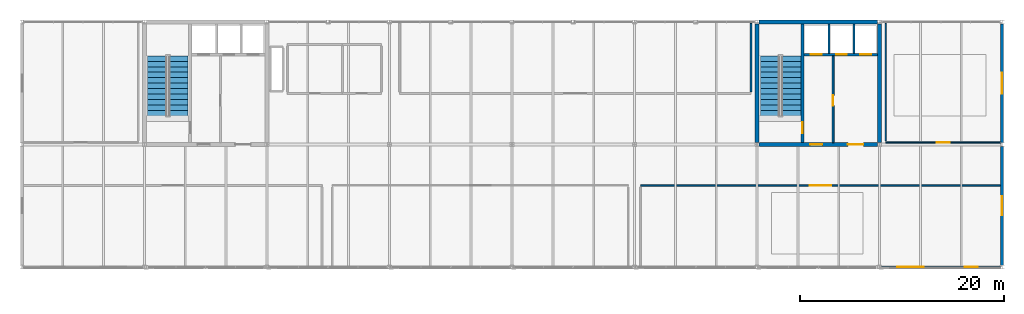
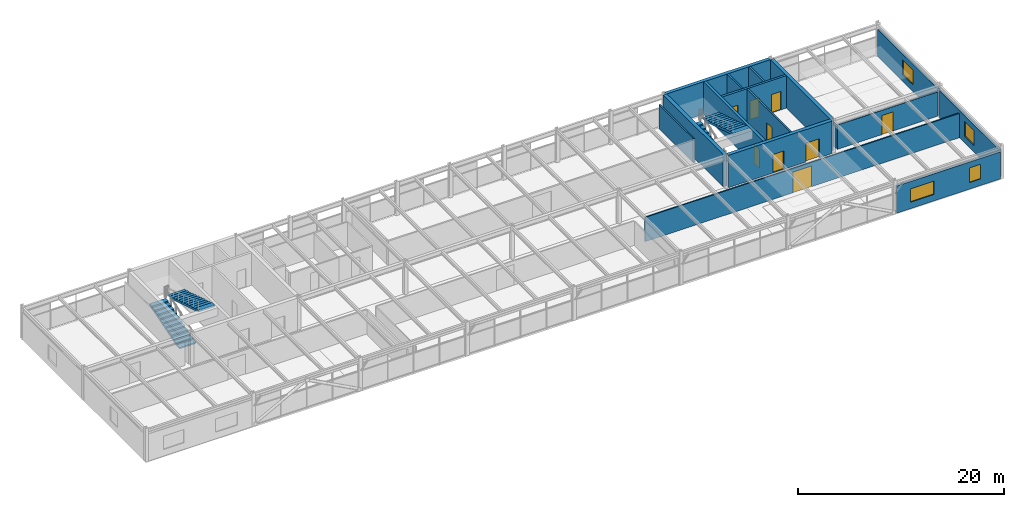
# One storey, part 37 of 40: 16 walls, 9 doors, 4 stair flights, 4 windows, 13 openings, 2 elements without a shape of their own.
"""IFC4 building model written with IfcOpenShell, lengths in metres."""

from ifc_helpers import new_model, si_unit, direction, frame, frame_2d, origin, place, context, subcontext, project, spatial, polyline, rectangle, outline, extrude, material, layer, layer_set, type_object, element, fill, aggregate, save


model = new_model("IFC4")

# Units and contexts
model_context = context("Model", 3, precision=1e-05, world=origin(), true_north=direction((0.0, 1.0)))
body_context = subcontext(model_context, "Body", "Model", "MODEL_VIEW")
ifc_project = project(units=[si_unit("LENGTHUNIT", "METRE"), si_unit("AREAUNIT", "SQUARE_METRE"), si_unit("VOLUMEUNIT", "CUBIC_METRE"), si_unit("PLANEANGLEUNIT", "RADIAN"), si_unit("MASSUNIT", "GRAM", prefix="KILO")], contexts=[model_context])

# Site, building, storey
site_placement = place(None, origin())
site = spatial("IfcSite", under=ifc_project, at=site_placement, CompositionType="ELEMENT")
building_placement = place(site_placement, origin())
building = spatial("IfcBuilding", under=site, at=building_placement, Name="Girod Span Mobility Hub", CompositionType="ELEMENT")
storey_placement = place(building_placement, frame((0.0, 0.0, 57.60009765625)))
storey = spatial("IfcBuildingStorey", under=building, at=storey_placement, Name="L14", CompositionType="ELEMENT", Elevation=57.60009765625)

# Wall, openings, doors
ifc_material_1 = material(Name="Concrete C40/50", Category="concrete")
ifc_layer_1 = layer(ifc_material_1, 0.39990234375)
ifc_layer_set_1 = layer_set([ifc_layer_1], Name="Concrete C40/50")
wall_type_1 = type_object("IfcWallType", Name="W-CW-400", PredefinedType="SHEAR", material=ifc_layer_set_1)
wall_1_placement = place(storey_placement, frame((108.194091796875, 57.0, 0.0), z_axis=(0.0, 0.0, 1.0), x_axis=(1.0, 0.0, 0.0)))
wall_1 = element("IfcWall", 1, at=wall_1_placement, inside=storey, type_object=wall_type_1, Name="Core C2 Shear Wall S L14", PredefinedType="SHEAR", context=body_context, shape_type="SweptSolid", body=[
    extrude(rectangle(XDim=11.61181640625, YDim=0.39990234375, at=frame_2d((5.805908203125, 0.0))), origin(), (0.0, 0.0, 1.0), 3.852783203125),
])
opening_1_placement = place(wall_1_placement, frame((5.006103515625, 0.0, 0.0)))
opening_1 = element("IfcOpeningElement", 2, at=opening_1_placement, cuts=wall_1, Name="Opening D-FL-C2-L14", PredefinedType="OPENING", context=body_context, shape_type="SweptSolid", body=[
    extrude(rectangle(XDim=1.199951171875, YDim=2.199951171875, at=frame_2d((0.60009765625, 1.10009765625))), frame((0.0, 0.21484375, 0.0), z_axis=(0.0, -1.0, 0.0), x_axis=(1.0, 0.0, 0.0)), (0.0, 0.0, 1.0), 0.429931640625),
])
opening_2_placement = place(wall_1_placement, frame((8.7060546875, 0.0, 0.0)))
opening_2 = element("IfcOpeningElement", 3, at=opening_2_placement, cuts=wall_1, Name="Opening D-LB-C2-L14", PredefinedType="OPENING", context=body_context, shape_type="SweptSolid", body=[
    extrude(rectangle(XDim=1.5, YDim=2.25, at=frame_2d((0.75, 1.125))), frame((0.0, 0.21484375, 0.0), z_axis=(0.0, -1.0, 0.0), x_axis=(1.0, 0.0, 0.0)), (0.0, 0.0, 1.0), 0.429931640625),
])
ifc_material_2 = material(Name="Fire-Rated Insulated Hollow Metal Steel", Category="steel")
door_type_1 = type_object("IfcDoorType", Name="DT-FD-03", OperationType="DOUBLE_DOOR_SINGLE_SWING", PredefinedType="DOOR", material=ifc_material_2)
door_1_placement = place(opening_2_placement, origin())
door_1 = element("IfcDoor", 4, at=door_1_placement, inside=storey, type_object=door_type_1, Name="Lift Lobby Entry Door C2 L14", OperationType="DOUBLE_DOOR_SINGLE_SWING", OverallHeight=2.25, OverallWidth=1.5, PredefinedType="DOOR", context=body_context, shape_type="SweptSolid", body=[
    extrude(rectangle(XDim=1.5, YDim=2.25, at=frame_2d((0.75, 1.125))), frame((0.0, 0.02490234375, 0.0), z_axis=(0.0, -1.0, 0.0), x_axis=(1.0, 0.0, 0.0)), (0.0, 0.0, 1.0), 0.050048828125),
])
fill(opening_2, door_1)
ifc_material_3 = material(Name="Fire-Rated Insulated Hollow Metal Steel", Category="steel")
door_type_2 = type_object("IfcDoorType", Name="DT-FD-05", OperationType="NOTDEFINED", PredefinedType="DOOR", material=ifc_material_3)
door_2_placement = place(opening_1_placement, origin())
door_2 = element("IfcDoor", 5, at=door_2_placement, inside=storey, type_object=door_type_2, Name="Firefighting Lobby Entry Door C2 L14", OperationType="SINGLE_SWING_RIGHT", OverallHeight=2.199951171875, OverallWidth=1.199951171875, PredefinedType="DOOR", context=body_context, shape_type="SweptSolid", body=[
    extrude(rectangle(XDim=1.199951171875, YDim=2.199951171875, at=frame_2d((0.60009765625, 1.10009765625))), frame((0.0, 0.02490234375, 0.0), z_axis=(0.0, -1.0, 0.0), x_axis=(1.0, 0.0, 0.0)), (0.0, 0.0, 1.0), 0.050048828125),
])
fill(opening_1, door_2)

# Walls
wall_2_placement = place(storey_placement, frame((108.181396484375, 69.0, 0.0), z_axis=(0.0, 0.0, 1.0), x_axis=(1.0, 0.0, 0.0)))
element("IfcWall", 6, at=wall_2_placement, inside=storey, type_object=wall_type_1, Name="Core C2 Shear Wall N L14", PredefinedType="SHEAR", context=body_context, shape_type="SweptSolid", body=[
    extrude(rectangle(XDim=11.63720703125, YDim=0.39990234375, at=frame_2d((5.818603515625, 0.0))), origin(), (0.0, 0.0, 1.0), 3.852783203125),
])
for number, where, z_axis, x_axis, name in (
    (7, (108.0, 57.1845703125, 0.0), (0.0, 0.0, 1.0), (0.0, 1.0, 0.0), "Core C2 Shear Wall W L14"),
    (8, (120.0, 57.1845703125, 0.0), (0.0, 0.0, 1.0), (0.0, 1.0, 0.0), "Core C2 Shear Wall E L14"),
):
    element("IfcWall", number, at=place(storey_placement, frame(where, z_axis=z_axis, x_axis=x_axis)), inside=storey, type_object=wall_type_1, Name=name, PredefinedType="SHEAR", context=body_context, shape_type="SweptSolid", body=[
        extrude(rectangle(XDim=11.640380859375, YDim=0.39990234375, at=frame_2d((5.8203125, 0.0))), origin(), (0.0, 0.0, 1.0), 3.852783203125),
    ])

# Wall, openings, windows
ifc_material_4 = material(Name="Precast Architectural Concrete C40/50", Category="concrete")
ifc_layer_2 = layer(ifc_material_4, 0.235107421875)
ifc_layer_set_2 = layer_set([ifc_layer_2], Name="Precast Architectural Concrete C40/50")
wall_type_2 = type_object("IfcWallType", Name="W-EXT-235", PredefinedType="SOLIDWALL", material=ifc_layer_set_2)
wall_3_placement = place(storey_placement, frame((120.1826171875, 45.0, 0.0), z_axis=(0.0, 0.0, 1.0), x_axis=(1.0, 0.0, 0.0)))
wall_3 = element("IfcWall", 9, at=wall_3_placement, inside=storey, type_object=wall_type_2, Name="Office Insulated Facade Wall S-11 L14", PredefinedType="SOLIDWALL", context=body_context, shape_type="SweptSolid", body=[
    extrude(rectangle(XDim=11.634765625, YDim=0.235107421875, at=frame_2d((5.8173828125, 0.0))), origin(), (0.0, 0.0, 1.0), 3.2158203125),
])
opening_3_placement = place(wall_3_placement, frame((1.5400390625, 0.0, 0.780029296875)))
opening_3 = element("IfcOpeningElement", 10, at=opening_3_placement, cuts=wall_3, Name="Opening W-L14-S10A", PredefinedType="OPENING", context=body_context, shape_type="SweptSolid", body=[
    extrude(rectangle(XDim=2.6201171875, YDim=1.580078125, at=frame_2d((1.31005859375, 0.7900390625))), frame((0.0, 0.132568359375, 0.0), z_axis=(0.0, -1.0, 0.0), x_axis=(1.0, 0.0, 0.0)), (0.0, 0.0, 1.0), 0.26513671875),
])
opening_4_placement = place(wall_3_placement, frame((8.14501953125, 0.0, 0.780029296875)))
opening_4 = element("IfcOpeningElement", 11, at=opening_4_placement, cuts=wall_3, Name="Opening W-L14-S10B", PredefinedType="OPENING", context=body_context, shape_type="SweptSolid", body=[
    extrude(rectangle(XDim=1.280029296875, YDim=1.739990234375, at=frame_2d((0.64013671875, 0.8701171875))), frame((0.0, 0.132568359375, 0.0), z_axis=(0.0, -1.0, 0.0), x_axis=(1.0, 0.0, 0.0)), (0.0, 0.0, 1.0), 0.26513671875),
])
ifc_material_5 = material(Name="Double Low-E Insulated Glazing", Category="glass")
window_type_1 = type_object("IfcWindowType", Name="WN-30", PartitioningType="DOUBLE_PANEL_VERTICAL", PredefinedType="WINDOW", material=ifc_material_5)
window_1_placement = place(opening_3_placement, origin())
window_1 = element("IfcWindow", 12, at=window_1_placement, inside=storey, type_object=window_type_1, Name="Office Window WN-30", OverallHeight=1.580078125, OverallWidth=2.6201171875, PartitioningType="DOUBLE_PANEL_VERTICAL", PredefinedType="WINDOW", context=body_context, shape_type="SweptSolid", body=[
    extrude(rectangle(XDim=2.6201171875, YDim=1.580078125, at=frame_2d((1.31005859375, 0.7900390625))), frame((0.0, 0.030029296875, 0.0), z_axis=(0.0, -1.0, 0.0), x_axis=(1.0, 0.0, 0.0)), (0.0, 0.0, 1.0), 0.06005859375),
])
fill(opening_3, window_1)
ifc_material_6 = material(Name="Double Low-E Insulated Glazing", Category="glass")
window_type_2 = type_object("IfcWindowType", Name="WN-31", PartitioningType="SINGLE_PANEL", PredefinedType="WINDOW", material=ifc_material_6)
window_2_placement = place(opening_4_placement, origin())
window_2 = element("IfcWindow", 13, at=window_2_placement, inside=storey, type_object=window_type_2, Name="Office Window WN-31", OverallHeight=1.739990234375, OverallWidth=1.280029296875, PartitioningType="SINGLE_PANEL", PredefinedType="WINDOW", context=body_context, shape_type="SweptSolid", body=[
    extrude(rectangle(XDim=1.280029296875, YDim=1.739990234375, at=frame_2d((0.64013671875, 0.8701171875))), frame((0.0, 0.030029296875, 0.0), z_axis=(0.0, -1.0, 0.0), x_axis=(1.0, 0.0, 0.0)), (0.0, 0.0, 1.0), 0.06005859375),
])
fill(opening_4, window_2)

# Wall, opening, window
ifc_material_7 = material(Name="Precast Architectural Concrete C40/50", Category="concrete")
ifc_layer_3 = layer(ifc_material_7, 0.27001953125)
ifc_layer_set_3 = layer_set([ifc_layer_3], Name="Precast Architectural Concrete C40/50")
wall_type_3 = type_object("IfcWallType", Name="W-EXT-270", PredefinedType="SOLIDWALL", material=ifc_layer_set_3)
wall_4_placement = place(storey_placement, frame((132.0, 45.176025390625, 0.0), z_axis=(0.0, 0.0, 1.0), x_axis=(0.0, 1.0, 0.0)))
wall_4 = element("IfcWall", 14, at=wall_4_placement, inside=storey, type_object=wall_type_3, Name="End Facade Insulated Wall E-D L14", PredefinedType="SOLIDWALL", context=body_context, shape_type="SweptSolid", body=[
    extrude(rectangle(XDim=11.64794921875, YDim=0.27001953125, at=frame_2d((5.823974609375, 0.0))), origin(), (0.0, 0.0, 1.0), 3.2158203125),
])
opening_5_placement = place(wall_4_placement, frame((4.89404296875, 0.0, 0.780029296875)))
opening_5 = element("IfcOpeningElement", 15, at=opening_5_placement, cuts=wall_4, Name="Opening W-L14-E3", PredefinedType="OPENING", context=body_context, shape_type="SweptSolid", body=[
    extrude(rectangle(XDim=1.860107421875, YDim=1.739990234375, at=frame_2d((0.93017578125, 0.8701171875))), frame((0.0, 0.14990234375, 0.0), z_axis=(0.0, -1.0, 0.0), x_axis=(1.0, 0.0, 0.0)), (0.0, 0.0, 1.0), 0.300048828125),
])
ifc_material_8 = material(Name="Double Low-E Insulated Glazing", Category="glass")
window_type_3 = type_object("IfcWindowType", Name="WN-34", PartitioningType="DOUBLE_PANEL_VERTICAL", PredefinedType="WINDOW", material=ifc_material_8)
window_3_placement = place(opening_5_placement, origin())
window_3 = element("IfcWindow", 16, at=window_3_placement, inside=storey, type_object=window_type_3, Name="End Office Window WN-34", OverallHeight=1.739990234375, OverallWidth=1.860107421875, PartitioningType="DOUBLE_PANEL_VERTICAL", PredefinedType="WINDOW", context=body_context, shape_type="SweptSolid", body=[
    extrude(rectangle(XDim=1.860107421875, YDim=1.739990234375, at=frame_2d((0.93017578125, 0.8701171875))), frame((0.0, 0.030029296875, 0.0), z_axis=(0.0, -1.0, 0.0), x_axis=(1.0, 0.0, 0.0)), (0.0, 0.0, 1.0), 0.06005859375),
])
fill(opening_5, window_3)

wall_5_placement = place(storey_placement, frame((132.0, 57.176025390625, 0.0), z_axis=(0.0, 0.0, 1.0), x_axis=(0.0, 1.0, 0.0)))
wall_5 = element("IfcWall", 17, at=wall_5_placement, inside=storey, type_object=wall_type_3, Name="End Facade Insulated Wall E-E L14", PredefinedType="SOLIDWALL", context=body_context, shape_type="SweptSolid", body=[
    extrude(rectangle(XDim=11.64794921875, YDim=0.27001953125, at=frame_2d((5.823974609375, 0.0))), origin(), (0.0, 0.0, 1.0), 3.2158203125),
])
opening_6_placement = place(wall_5_placement, frame((4.803955078125, 0.0, 0.780029296875)))
opening_6 = element("IfcOpeningElement", 18, at=opening_6_placement, cuts=wall_5, Name="Opening W-L14-E4", PredefinedType="OPENING", context=body_context, shape_type="SweptSolid", body=[
    extrude(rectangle(XDim=2.0400390625, YDim=1.739990234375, at=frame_2d((1.02001953125, 0.8701171875))), frame((0.0, 0.14990234375, 0.0), z_axis=(0.0, -1.0, 0.0), x_axis=(1.0, 0.0, 0.0)), (0.0, 0.0, 1.0), 0.300048828125),
])
ifc_material_9 = material(Name="Double Low-E Insulated Glazing", Category="glass")
window_type_4 = type_object("IfcWindowType", Name="WN-35", PartitioningType="DOUBLE_PANEL_VERTICAL", PredefinedType="WINDOW", material=ifc_material_9)
window_4_placement = place(opening_6_placement, origin())
window_4 = element("IfcWindow", 19, at=window_4_placement, inside=storey, type_object=window_type_4, Name="End Office Window WN-35", OverallHeight=1.739990234375, OverallWidth=2.0400390625, PartitioningType="DOUBLE_PANEL_VERTICAL", PredefinedType="WINDOW", context=body_context, shape_type="SweptSolid", body=[
    extrude(rectangle(XDim=2.0400390625, YDim=1.739990234375, at=frame_2d((1.02001953125, 0.8701171875))), frame((0.0, 0.030029296875, 0.0), z_axis=(0.0, -1.0, 0.0), x_axis=(1.0, 0.0, 0.0)), (0.0, 0.0, 1.0), 0.06005859375),
])
fill(opening_6, window_4)

# Wall, opening, door
ifc_material_10 = material(Name="Concrete C40/50", Category="concrete")
ifc_layer_4 = layer(ifc_material_10, 0.18994140625)
ifc_layer_set_4 = layer_set([ifc_layer_4], Name="Concrete C40/50")
wall_type_4 = type_object("IfcWallType", Name="W-FL-190", PredefinedType="SOLIDWALL", material=ifc_layer_set_4)
wall_6_placement = place(storey_placement, frame((115.449951171875, 57.199951171875, 0.0), z_axis=(0.0, 0.0, 1.0), x_axis=(0.0, 1.0, 0.0)))
wall_6 = element("IfcWall", 20, at=wall_6_placement, inside=storey, type_object=wall_type_4, Name="Core C2 Firefighting Lobby Wall L14", PredefinedType="SOLIDWALL", context=body_context, shape_type="SweptSolid", body=[
    extrude(rectangle(XDim=8.47998046875, YDim=0.18994140625, at=frame_2d((4.239990234375, 0.0))), origin(), (0.0, 0.0, 1.0), 3.843017578125),
])
opening_7_placement = place(wall_6_placement, frame((3.60009765625, 0.0, 0.0)))
opening_7 = element("IfcOpeningElement", 21, at=opening_7_placement, cuts=wall_6, Name="Opening D-FLX-C2-L14", PredefinedType="OPENING", context=body_context, shape_type="SweptSolid", body=[
    extrude(rectangle(XDim=1.0400390625, YDim=2.179931640625, at=frame_2d((0.52001953125, 1.08984375))), frame((0.0, 0.10986328125, 0.0), z_axis=(0.0, -1.0, 0.0), x_axis=(1.0, 0.0, 0.0)), (0.0, 0.0, 1.0), 0.219970703125),
])
ifc_material_11 = material(Name="Fire-Rated Insulated Hollow Metal Steel", Category="steel")
door_type_3 = type_object("IfcDoorType", Name="DT-FD-02", OperationType="NOTDEFINED", PredefinedType="DOOR", material=ifc_material_11)
door_3_placement = place(opening_7_placement, origin())
door_3 = element("IfcDoor", 22, at=door_3_placement, inside=storey, type_object=door_type_3, Name="Firefighting Lobby Interconnect Door C2 L14", OperationType="SINGLE_SWING_RIGHT", OverallHeight=2.179931640625, OverallWidth=1.0400390625, PredefinedType="DOOR", context=body_context, shape_type="SweptSolid", body=[
    extrude(rectangle(XDim=1.0400390625, YDim=2.179931640625, at=frame_2d((0.52001953125, 1.08984375))), frame((0.0, 0.02490234375, 0.0), z_axis=(0.0, -1.0, 0.0), x_axis=(1.0, 0.0, 0.0)), (0.0, 0.0, 1.0), 0.050048828125),
])
fill(opening_7, door_3)

# Wall
ifc_material_12 = material(Name="Fire-Rated Gypsum Board on Metal Studs", Category="gypsum")
ifc_layer_5 = layer(ifc_material_12, 0.1650390625)
ifc_layer_set_5 = layer_set([ifc_layer_5], Name="Fire-Rated Gypsum Board on Metal Studs")
wall_type_5 = type_object("IfcWallType", Name="W-FP-165", PredefinedType="PARTITIONING", material=ifc_layer_set_5)
wall_7_placement = place(storey_placement, frame((107.39990234375, 62.159912109375, 0.0), z_axis=(0.0, 0.0, 1.0), x_axis=(0.0, 1.0, 0.0)))
element("IfcWall", 23, at=wall_7_placement, inside=storey, type_object=wall_type_5, Name="Data Lab Server Room Partition E", PredefinedType="PARTITIONING", context=body_context, shape_type="SweptSolid", body=[
    extrude(rectangle(XDim=6.7001953125, YDim=0.1650390625, at=frame_2d((3.35009765625, 0.0))), origin(), (0.0, 0.0, 1.0), 2.8798828125),
])

# Wall, opening, door
ifc_material_13 = material(Name="Fire-Rated Gypsum Board on Metal Studs", Category="gypsum")
ifc_layer_6 = layer(ifc_material_13, 0.125)
ifc_layer_set_6 = layer_set([ifc_layer_6], Name="Fire-Rated Gypsum Board on Metal Studs")
wall_type_6 = type_object("IfcWallType", Name="W-PT-125", PredefinedType="PARTITIONING", material=ifc_layer_set_6)
wall_8_placement = place(storey_placement, frame((120.60009765625, 57.199951171875, 0.0), z_axis=(0.0, 0.0, 1.0), x_axis=(1.0, 0.0, 0.0)))
wall_8 = element("IfcWall", 24, at=wall_8_placement, inside=storey, type_object=wall_type_6, Name="Office Suite Research East Partition S", PredefinedType="PARTITIONING", context=body_context, shape_type="SweptSolid", body=[
    extrude(rectangle(XDim=11.260009765625, YDim=0.125, at=frame_2d((5.6298828125, 0.0))), origin(), (0.0, 0.0, 1.0), 2.8798828125),
])
opening_8_placement = place(wall_8_placement, frame((4.9951171875, 0.0, 0.0)))
opening_8 = element("IfcOpeningElement", 25, at=opening_8_placement, cuts=wall_8, Name="Opening D-L14-OFF-14NE", PredefinedType="OPENING", context=body_context, shape_type="SweptSolid", body=[
    extrude(rectangle(XDim=1.27001953125, YDim=2.27001953125, at=frame_2d((0.635009765625, 1.135009765625))), frame((0.0, 0.077392578125, 0.0), z_axis=(0.0, -1.0, 0.0), x_axis=(1.0, 0.0, 0.0)), (0.0, 0.0, 1.0), 0.155029296875),
])
ifc_material_14 = material(Name="Solid-Core Architectural Timber", Category="wood")
door_type_4 = type_object("IfcDoorType", Name="DT-NR-09", OperationType="NOTDEFINED", PredefinedType="DOOR", material=ifc_material_14)
door_4_placement = place(opening_8_placement, origin())
door_4 = element("IfcDoor", 26, at=door_4_placement, inside=storey, type_object=door_type_4, Name="Office Suite Research East Door", OperationType="SINGLE_SWING_LEFT", OverallHeight=2.27001953125, OverallWidth=1.27001953125, PredefinedType="DOOR", context=body_context, shape_type="SweptSolid", body=[
    extrude(rectangle(XDim=1.27001953125, YDim=2.27001953125, at=frame_2d((0.635009765625, 1.135009765625))), frame((0.0, 0.02490234375, 0.0), z_axis=(0.0, -1.0, 0.0), x_axis=(1.0, 0.0, 0.0)), (0.0, 0.0, 1.0), 0.050048828125),
])
fill(opening_8, door_4)

# Wall
wall_9_placement = place(storey_placement, frame((120.60009765625, 57.360107421875, 0.0), z_axis=(0.0, 0.0, 1.0), x_axis=(0.0, 1.0, 0.0)))
element("IfcWall", 27, at=wall_9_placement, inside=storey, type_object=wall_type_6, Name="Office Suite Research East Partition W", PredefinedType="PARTITIONING", context=body_context, shape_type="SweptSolid", body=[
    extrude(rectangle(XDim=11.5, YDim=0.125, at=frame_2d((5.75, 0.0))), origin(), (0.0, 0.0, 1.0), 2.8798828125),
])

# Wall, opening, door
ifc_material_15 = material(Name="Fire-Rated Gypsum Board on Metal Studs", Category="gypsum")
ifc_layer_7 = layer(ifc_material_15, 0.139892578125)
ifc_layer_set_7 = layer_set([ifc_layer_7], Name="Fire-Rated Gypsum Board on Metal Studs")
wall_type_7 = type_object("IfcWallType", Name="W-PT-140", PredefinedType="PARTITIONING", material=ifc_layer_set_7)
wall_10_placement = place(storey_placement, frame((96.60009765625, 53.0, 0.0), z_axis=(0.0, 0.0, 1.0), x_axis=(1.0, 0.0, 0.0)))
wall_10 = element("IfcWall", 28, at=wall_10_placement, inside=storey, type_object=wall_type_7, Name="Planning Studio Digital Twin Partition N", PredefinedType="PARTITIONING", context=body_context, shape_type="SweptSolid", body=[
    extrude(rectangle(XDim=35.260009765625, YDim=0.139892578125, at=frame_2d((17.6298828125, 0.0))), origin(), (0.0, 0.0, 1.0), 2.8798828125),
])
opening_9_placement = place(wall_10_placement, frame((16.580078125, 0.0, 0.0)))
opening_9 = element("IfcOpeningElement", 29, at=opening_9_placement, cuts=wall_10, Name="Opening D-L14-DLAB-E", PredefinedType="OPENING", context=body_context, shape_type="SweptSolid", body=[
    extrude(rectangle(XDim=2.10009765625, YDim=2.469970703125, at=frame_2d((1.050048828125, 1.23486328125))), frame((0.0, 0.0849609375, 0.0), z_axis=(0.0, -1.0, 0.0), x_axis=(1.0, 0.0, 0.0)), (0.0, 0.0, 1.0), 0.169921875),
])
ifc_material_16 = material(Name="Solid-Core Architectural Timber", Category="wood")
door_type_5 = type_object("IfcDoorType", Name="DT-NR-22", OperationType="DOUBLE_DOOR_SINGLE_SWING", PredefinedType="DOOR", material=ifc_material_16)
door_5_placement = place(opening_9_placement, origin())
door_5 = element("IfcDoor", 30, at=door_5_placement, inside=storey, type_object=door_type_5, Name="Planning Studio Digital Twin Door", OperationType="DOUBLE_DOOR_SINGLE_SWING", OverallHeight=2.469970703125, OverallWidth=2.10009765625, PredefinedType="DOOR", context=body_context, shape_type="SweptSolid", body=[
    extrude(rectangle(XDim=2.10009765625, YDim=2.469970703125, at=frame_2d((1.050048828125, 1.23486328125))), frame((0.0, 0.02490234375, 0.0), z_axis=(0.0, -1.0, 0.0), x_axis=(1.0, 0.0, 0.0)), (0.0, 0.0, 1.0), 0.050048828125),
])
fill(opening_9, door_5)

# Walls
ifc_material_17 = material(Name="Concrete C40/50", Category="concrete")
ifc_layer_8 = layer(ifc_material_17, 0.199951171875)
ifc_layer_set_8 = layer_set([ifc_layer_8], Name="Concrete C40/50")
wall_type_8 = type_object("IfcWallType", Name="W-SH-200", PredefinedType="SOLIDWALL", material=ifc_layer_set_8)
for number, where, z_axis, x_axis, name in (
    (31, (115.050048828125, 65.919921875, 0.0), (0.0, 0.0, 1.0), (0.0, 1.0, 0.0), "Core C2 Shaft Divider 1 L14"),
    (32, (117.47998046875, 65.919921875, 0.0), (0.0, 0.0, 1.0), (0.0, 1.0, 0.0), "Core C2 Shaft Divider 2 L14"),
):
    element("IfcWall", number, at=place(storey_placement, frame(where, z_axis=z_axis, x_axis=x_axis)), inside=storey, type_object=wall_type_8, Name=name, PredefinedType="SOLIDWALL", context=body_context, shape_type="SweptSolid", body=[
        extrude(rectangle(XDim=2.880126953125, YDim=0.199951171875, at=frame_2d((1.43994140625, 0.0))), origin(), (0.0, 0.0, 1.0), 3.843017578125),
    ])

# Wall, openings, doors
ifc_material_18 = material(Name="Concrete C40/50", Category="concrete")
ifc_layer_9 = layer(ifc_material_18, 0.25)
ifc_layer_set_9 = layer_set([ifc_layer_9], Name="Concrete C40/50")
wall_type_9 = type_object("IfcWallType", Name="W-SH-250", PredefinedType="SOLIDWALL", material=ifc_layer_set_9)
wall_11_placement = place(storey_placement, frame((112.596923828125, 65.800048828125, 0.0), z_axis=(0.0, 0.0, 1.0), x_axis=(1.0, 0.0, 0.0)))
wall_11 = element("IfcWall", 33, at=wall_11_placement, inside=storey, type_object=wall_type_9, Name="Core C2 Hoistway Front Wall L14", PredefinedType="SOLIDWALL", context=body_context, shape_type="SweptSolid", body=[
    extrude(rectangle(XDim=7.2060546875, YDim=0.25, at=frame_2d((3.60302734375, 0.0))), origin(), (0.0, 0.0, 1.0), 3.852783203125),
])
opening_10_placement = place(wall_11_placement, frame((0.653076171875, 0.0, 0.0)))
opening_10 = element("IfcOpeningElement", 34, at=opening_10_placement, cuts=wall_11, Name="Opening LD-FL-2-L14", PredefinedType="OPENING", context=body_context, shape_type="SweptSolid", body=[
    extrude(rectangle(XDim=1.10009765625, YDim=2.239990234375, at=frame_2d((0.550048828125, 1.1201171875))), frame((0.0, 0.139892578125, 0.0), z_axis=(0.0, -1.0, 0.0), x_axis=(1.0, 0.0, 0.0)), (0.0, 0.0, 1.0), 0.280029296875),
])
opening_11_placement = place(wall_11_placement, frame((3.153076171875, 0.0, 0.0)))
opening_11 = element("IfcOpeningElement", 35, at=opening_11_placement, cuts=wall_11, Name="Opening LD-LP-3-L14", PredefinedType="OPENING", context=body_context, shape_type="SweptSolid", body=[
    extrude(rectangle(XDim=1.050048828125, YDim=2.199951171875, at=frame_2d((0.52490234375, 1.10009765625))), frame((0.0, 0.139892578125, 0.0), z_axis=(0.0, -1.0, 0.0), x_axis=(1.0, 0.0, 0.0)), (0.0, 0.0, 1.0), 0.280029296875),
])
opening_12_placement = place(wall_11_placement, frame((5.528076171875, 0.0, 0.0)))
opening_12 = element("IfcOpeningElement", 36, at=opening_12_placement, cuts=wall_11, Name="Opening LD-LP-4-L14", PredefinedType="OPENING", context=body_context, shape_type="SweptSolid", body=[
    extrude(rectangle(XDim=1.050048828125, YDim=2.199951171875, at=frame_2d((0.52490234375, 1.10009765625))), frame((0.0, 0.139892578125, 0.0), z_axis=(0.0, -1.0, 0.0), x_axis=(1.0, 0.0, 0.0)), (0.0, 0.0, 1.0), 0.280029296875),
])
ifc_material_19 = material(Name="Brushed Stainless Steel Grade 304", Category="steel")
door_type_6 = type_object("IfcDoorType", Name="LD-FL-110", OperationType="SLIDING_TO_LEFT", PredefinedType="USERDEFINED", material=ifc_material_19)
door_6_placement = place(opening_10_placement, origin())
door_6 = element("IfcDoor", 37, at=door_6_placement, inside=storey, type_object=door_type_6, Name="Lift FL-2 Sliding Landing Door L14", ObjectType="LANDING DOOR", OperationType="SLIDING_TO_LEFT", OverallHeight=2.239990234375, OverallWidth=1.10009765625, PredefinedType="USERDEFINED", context=body_context, shape_type="SweptSolid", body=[
    extrude(rectangle(XDim=1.10009765625, YDim=2.239990234375, at=frame_2d((0.550048828125, 1.1201171875))), frame((0.0, 0.02490234375, 0.0), z_axis=(0.0, -1.0, 0.0), x_axis=(1.0, 0.0, 0.0)), (0.0, 0.0, 1.0), 0.050048828125),
])
fill(opening_10, door_6)
ifc_material_20 = material(Name="Brushed Stainless Steel Grade 304", Category="steel")
door_type_7 = type_object("IfcDoorType", Name="LD-LP-105", OperationType="SLIDING_TO_LEFT", PredefinedType="USERDEFINED", material=ifc_material_20)
door_7_placement = place(opening_11_placement, origin())
door_7 = element("IfcDoor", 38, at=door_7_placement, inside=storey, type_object=door_type_7, Name="Lift LP-3 Sliding Landing Door L14", ObjectType="LANDING DOOR", OperationType="SLIDING_TO_LEFT", OverallHeight=2.199951171875, OverallWidth=1.050048828125, PredefinedType="USERDEFINED", context=body_context, shape_type="SweptSolid", body=[
    extrude(rectangle(XDim=1.050048828125, YDim=2.199951171875, at=frame_2d((0.52490234375, 1.10009765625))), frame((0.0, 0.02490234375, 0.0), z_axis=(0.0, -1.0, 0.0), x_axis=(1.0, 0.0, 0.0)), (0.0, 0.0, 1.0), 0.050048828125),
])
fill(opening_11, door_7)
door_8_placement = place(opening_12_placement, origin())
door_8 = element("IfcDoor", 39, at=door_8_placement, inside=storey, type_object=door_type_7, Name="Lift LP-4 Sliding Landing Door L14", ObjectType="LANDING DOOR", OperationType="SLIDING_TO_LEFT", OverallHeight=2.199951171875, OverallWidth=1.050048828125, PredefinedType="USERDEFINED", context=body_context, shape_type="SweptSolid", body=[
    extrude(rectangle(XDim=1.050048828125, YDim=2.199951171875, at=frame_2d((0.52490234375, 1.10009765625))), frame((0.0, 0.02490234375, 0.0), z_axis=(0.0, -1.0, 0.0), x_axis=(1.0, 0.0, 0.0)), (0.0, 0.0, 1.0), 0.050048828125),
])
fill(opening_12, door_8)

# Wall, opening, door
ifc_material_21 = material(Name="Concrete C40/50", Category="concrete")
ifc_layer_10 = layer(ifc_material_21, 0.300048828125)
ifc_layer_set_10 = layer_set([ifc_layer_10], Name="Concrete C40/50")
wall_type_10 = type_object("IfcWallType", Name="W-SH-300", PredefinedType="SHEAR", material=ifc_layer_set_10)
wall_12_placement = place(storey_placement, frame((112.449951171875, 57.197021484375, 0.0), z_axis=(0.0, 0.0, 1.0), x_axis=(0.0, 1.0, 0.0)))
wall_12 = element("IfcWall", 40, at=wall_12_placement, inside=storey, type_object=wall_type_10, Name="Core C2 Stairwell Spine Wall L14", PredefinedType="SHEAR", context=body_context, shape_type="SweptSolid", body=[
    extrude(rectangle(XDim=11.60595703125, YDim=0.300048828125, at=frame_2d((5.802978515625, 0.0))), origin(), (0.0, 0.0, 1.0), 3.852783203125),
])
opening_13_placement = place(wall_12_placement, frame((0.89990234375, 0.0, 0.0)))
opening_13 = element("IfcOpeningElement", 41, at=opening_13_placement, cuts=wall_12, Name="Opening D-ST-2-L14", PredefinedType="OPENING", context=body_context, shape_type="SweptSolid", body=[
    extrude(rectangle(XDim=1.10009765625, YDim=2.199951171875, at=frame_2d((0.550048828125, 1.10009765625))), frame((0.0, 0.1650390625, 0.0), z_axis=(0.0, -1.0, 0.0), x_axis=(1.0, 0.0, 0.0)), (0.0, 0.0, 1.0), 0.330078125),
])
ifc_material_22 = material(Name="Fire-Rated Insulated Hollow Metal Steel", Category="steel")
door_type_8 = type_object("IfcDoorType", Name="DT-FD-01", OperationType="NOTDEFINED", PredefinedType="DOOR", material=ifc_material_22)
door_9_placement = place(opening_13_placement, origin())
door_9 = element("IfcDoor", 42, at=door_9_placement, inside=storey, type_object=door_type_8, Name="Stair ST-2 Fire Door L14", OperationType="SINGLE_SWING_LEFT", OverallHeight=2.199951171875, OverallWidth=1.10009765625, PredefinedType="DOOR", context=body_context, shape_type="SweptSolid", body=[
    extrude(rectangle(XDim=1.10009765625, YDim=2.199951171875, at=frame_2d((0.550048828125, 1.10009765625))), frame((0.0, 0.02490234375, 0.0), z_axis=(0.0, -1.0, 0.0), x_axis=(1.0, 0.0, 0.0)), (0.0, 0.0, 1.0), 0.050048828125),
])
fill(opening_13, door_9)

# Stair, stair flights
ifc_material_23 = material(Name="Concrete C40/50", Category="concrete")
stair_type = type_object("IfcStairType", Name="STR-4000-W1860", PredefinedType="HALF_TURN_STAIR", material=ifc_material_23)
stair_1_placement = place(storey_placement, origin())
stair_1 = element("IfcStair", 43, at=stair_1_placement, inside=storey, type_object=stair_type, Name="Exit Stair ST-1 L14", PredefinedType="HALF_TURN_STAIR")
ifc_material_24 = material(Name="Concrete C40/50", Category="concrete")
stair_flight_type = type_object("IfcStairFlightType", Name="STF-2000-W1860", PredefinedType="STRAIGHT", material=ifc_material_24)
stair_flight_1_placement = place(storey_placement, frame((49.25, 59.81005859375, 0.0), z_axis=(0.0, 0.0, 1.0), x_axis=(0.0, 1.0, 0.0)))
stair_flight_1 = element("IfcStairFlight", 44, at=stair_flight_1_placement, type_object=stair_flight_type, Name="Stair ST-1 Flight 1 L14", NumberOfRisers=12, NumberOfTreads=11, PredefinedType="STRAIGHT", RiserHeight=0.16667, TreadLength=0.53455, context=body_context, shape_type="SweptSolid", body=[
    extrude(outline(polyline([(0.0, 0.0), (0.0, 0.166748046875), (0.53466796875, 0.166748046875), (0.53466796875, 0.333251953125), (1.069091796875, 0.333251953125), (1.069091796875, 0.5), (1.603759765625, 0.5), (1.603759765625, 0.666748046875), (2.13818359375, 0.666748046875), (2.13818359375, 0.833251953125), (2.6728515625, 0.833251953125), (2.6728515625, 1.0), (3.207275390625, 1.0), (3.207275390625, 1.166748046875), (3.741943359375, 1.166748046875), (3.741943359375, 1.333251953125), (4.2763671875, 1.333251953125), (4.2763671875, 1.5), (4.81103515625, 1.5), (4.81103515625, 1.666748046875), (5.345458984375, 1.666748046875), (5.345458984375, 1.833251953125), (5.880126953125, 1.833251953125), (5.880126953125, 2.0), (5.880126953125, 1.634521484375), (0.63818359375, 0.0), (0.0, 0.0)])), frame((0.0, 0.93017578125, 0.0), z_axis=(0.0, -1.0, 0.0), x_axis=(1.0, 0.0, 0.0)), (0.0, 0.0, 1.0), 1.860107421875),
])
stair_flight_2_placement = place(storey_placement, frame((51.35009765625, 65.68994140625, 2.0), z_axis=(0.0, 0.0, 1.0), x_axis=(0.0, -1.0, 0.0)))
stair_flight_2 = element("IfcStairFlight", 45, at=stair_flight_2_placement, type_object=stair_flight_type, Name="Stair ST-1 Flight 2 L14", NumberOfRisers=12, NumberOfTreads=11, PredefinedType="STRAIGHT", RiserHeight=0.16667, TreadLength=0.53455, context=body_context, shape_type="SweptSolid", body=[
    extrude(outline(polyline([(0.0, 0.0), (0.0, 0.166748046875), (0.53466796875, 0.166748046875), (0.53466796875, 0.333251953125), (1.069091796875, 0.333251953125), (1.069091796875, 0.5), (1.603759765625, 0.5), (1.603759765625, 0.666748046875), (2.13818359375, 0.666748046875), (2.13818359375, 0.833251953125), (2.6728515625, 0.833251953125), (2.6728515625, 1.0), (3.207275390625, 1.0), (3.207275390625, 1.166748046875), (3.741943359375, 1.166748046875), (3.741943359375, 1.333251953125), (4.2763671875, 1.333251953125), (4.2763671875, 1.5), (4.81103515625, 1.5), (4.81103515625, 1.666748046875), (5.345458984375, 1.666748046875), (5.345458984375, 1.833251953125), (5.880126953125, 1.833251953125), (5.880126953125, 2.0), (5.880126953125, 1.634521484375), (0.63818359375, 0.0), (0.0, 0.0)])), frame((0.0, 0.93017578125, 0.0), z_axis=(0.0, -1.0, 0.0), x_axis=(1.0, 0.0, 0.0)), (0.0, 0.0, 1.0), 1.860107421875),
])
aggregate(stair_1, [stair_flight_1, stair_flight_2])

stair_2_placement = place(storey_placement, origin())
stair_2 = element("IfcStair", 46, at=stair_2_placement, inside=storey, type_object=stair_type, Name="Exit Stair ST-2 L14", PredefinedType="HALF_TURN_STAIR")
stair_flight_3_placement = place(storey_placement, frame((109.25, 59.81005859375, 0.0), z_axis=(0.0, 0.0, 1.0), x_axis=(0.0, 1.0, 0.0)))
stair_flight_3 = element("IfcStairFlight", 47, at=stair_flight_3_placement, type_object=stair_flight_type, Name="Stair ST-2 Flight 1 L14", NumberOfRisers=12, NumberOfTreads=11, PredefinedType="STRAIGHT", RiserHeight=0.16667, TreadLength=0.53455, context=body_context, shape_type="SweptSolid", body=[
    extrude(outline(polyline([(0.0, 0.0), (0.0, 0.166748046875), (0.53466796875, 0.166748046875), (0.53466796875, 0.333251953125), (1.069091796875, 0.333251953125), (1.069091796875, 0.5), (1.603759765625, 0.5), (1.603759765625, 0.666748046875), (2.13818359375, 0.666748046875), (2.13818359375, 0.833251953125), (2.6728515625, 0.833251953125), (2.6728515625, 1.0), (3.207275390625, 1.0), (3.207275390625, 1.166748046875), (3.741943359375, 1.166748046875), (3.741943359375, 1.333251953125), (4.2763671875, 1.333251953125), (4.2763671875, 1.5), (4.81103515625, 1.5), (4.81103515625, 1.666748046875), (5.345458984375, 1.666748046875), (5.345458984375, 1.833251953125), (5.880126953125, 1.833251953125), (5.880126953125, 2.0), (5.880126953125, 1.634521484375), (0.63818359375, 0.0), (0.0, 0.0)])), frame((0.0, 0.93017578125, 0.0), z_axis=(0.0, -1.0, 0.0), x_axis=(1.0, 0.0, 0.0)), (0.0, 0.0, 1.0), 1.860107421875),
])
stair_flight_4_placement = place(storey_placement, frame((111.35009765625, 65.68994140625, 2.0), z_axis=(0.0, 0.0, 1.0), x_axis=(0.0, -1.0, 0.0)))
stair_flight_4 = element("IfcStairFlight", 48, at=stair_flight_4_placement, type_object=stair_flight_type, Name="Stair ST-2 Flight 2 L14", NumberOfRisers=12, NumberOfTreads=11, PredefinedType="STRAIGHT", RiserHeight=0.16667, TreadLength=0.53455, context=body_context, shape_type="SweptSolid", body=[
    extrude(outline(polyline([(0.0, 0.0), (0.0, 0.166748046875), (0.53466796875, 0.166748046875), (0.53466796875, 0.333251953125), (1.069091796875, 0.333251953125), (1.069091796875, 0.5), (1.603759765625, 0.5), (1.603759765625, 0.666748046875), (2.13818359375, 0.666748046875), (2.13818359375, 0.833251953125), (2.6728515625, 0.833251953125), (2.6728515625, 1.0), (3.207275390625, 1.0), (3.207275390625, 1.166748046875), (3.741943359375, 1.166748046875), (3.741943359375, 1.333251953125), (4.2763671875, 1.333251953125), (4.2763671875, 1.5), (4.81103515625, 1.5), (4.81103515625, 1.666748046875), (5.345458984375, 1.666748046875), (5.345458984375, 1.833251953125), (5.880126953125, 1.833251953125), (5.880126953125, 2.0), (5.880126953125, 1.634521484375), (0.63818359375, 0.0), (0.0, 0.0)])), frame((0.0, 0.93017578125, 0.0), z_axis=(0.0, -1.0, 0.0), x_axis=(1.0, 0.0, 0.0)), (0.0, 0.0, 1.0), 1.860107421875),
])
aggregate(stair_2, [stair_flight_3, stair_flight_4])

save(model, "model.ifc")
